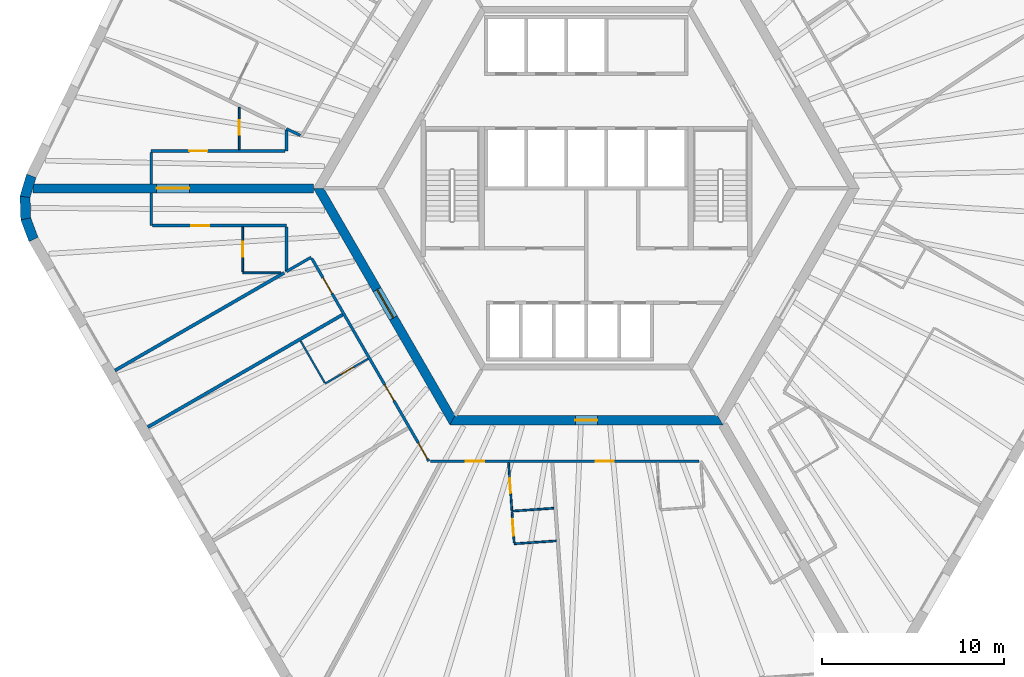
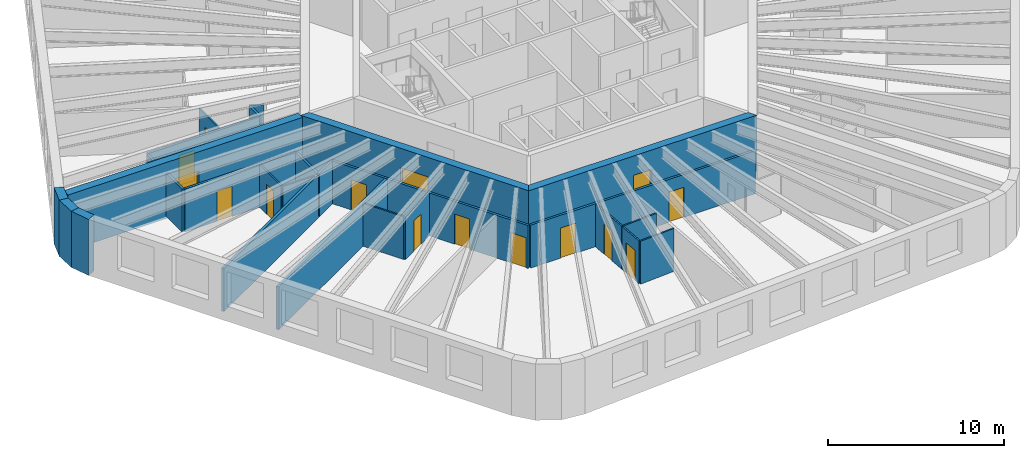
# One storey, part 3 of 10: 27 walls, 15 doors, 15 openings.
"""IFC4 building model written with IfcOpenShell, lengths in metres."""

from ifc_helpers import new_model, si_unit, direction, frame, frame_2d, origin, place, context, subcontext, project, spatial, polyline, rectangle, outline, extrude, material, layer, layer_set, type_object, element, fill, save


model = new_model("IFC4")

# Units and contexts
model_context = context("Model", 3, precision=1e-05, world=origin(), true_north=direction((0.0, 1.0)))
body_context = subcontext(model_context, "Body", "Model", "MODEL_VIEW")
ifc_project = project(units=[si_unit("LENGTHUNIT", "METRE"), si_unit("AREAUNIT", "SQUARE_METRE"), si_unit("VOLUMEUNIT", "CUBIC_METRE"), si_unit("PLANEANGLEUNIT", "RADIAN"), si_unit("MASSUNIT", "GRAM", prefix="KILO")], contexts=[model_context])

# Site, building, storey
site_placement = place(None, origin())
site = spatial("IfcSite", under=ifc_project, at=site_placement, CompositionType="ELEMENT")
building_placement = place(site_placement, origin())
building = spatial("IfcBuilding", under=site, at=building_placement, Name="Tarnside Tower", CompositionType="ELEMENT")
storey_placement = place(building_placement, frame((0.0, 0.0, 211.199951171875)))
storey = spatial("IfcBuildingStorey", under=building, at=storey_placement, Name="L50", CompositionType="ELEMENT", Elevation=211.199951171875)

# Wall, opening, door
ifc_material_1 = material(Name="Gypsum board partition on steel studs", Category="steel")
ifc_layer_1 = layer(ifc_material_1, 0.10009765625)
ifc_layer_set_1 = layer_set([ifc_layer_1], Name="Bathroom wall 100")
wall_type_1 = type_object("IfcWallType", Name="Bathroom wall 100", PredefinedType="PARTITIONING", material=ifc_layer_set_1)
wall_1_placement = place(storey_placement, frame((-19.0869140625, 2.125, 0.0), z_axis=(0.0, 0.0, 1.0), x_axis=(0.0, 1.0, 0.0)))
wall_1 = element("IfcWall", 1, at=wall_1_placement, inside=storey, type_object=wall_type_1, Name="Bathroom wall 16075", PredefinedType="PARTITIONING", context=body_context, shape_type="SweptSolid", body=[
    extrude(rectangle(XDim=2.320068359375, YDim=0.10009765625, at=frame_2d((1.16015625, 0.0))), origin(), (0.0, 0.0, 1.0), 2.98779296875),
])
opening_1_placement = place(wall_1_placement, frame((0.824951171875, 0.0, 0.0)))
opening_1 = element("IfcOpeningElement", 2, at=opening_1_placement, cuts=wall_1, Name="Opening D-B1", PredefinedType="OPENING", context=body_context, shape_type="SweptSolid", body=[
    extrude(rectangle(XDim=0.800048828125, YDim=2.10009765625, at=frame_2d((0.39990234375, 1.050048828125))), frame((0.0, 0.06005859375, 0.0), z_axis=(0.0, -1.0, 0.0), x_axis=(1.0, 0.0, 0.0)), (0.0, 0.0, 1.0), 0.1201171875),
])
ifc_material_2 = material(Name="Timber door leaf", Category="wood")
door_type_1 = type_object("IfcDoorType", Name="Bathroom door 800", OperationType="NOTDEFINED", PredefinedType="DOOR", material=ifc_material_2)
door_1_placement = place(opening_1_placement, origin())
door_1 = element("IfcDoor", 3, at=door_1_placement, inside=storey, type_object=door_type_1, Name="Bathroom door 16013", OperationType="SINGLE_SWING_LEFT", OverallHeight=2.10009765625, OverallWidth=0.800048828125, PredefinedType="DOOR", context=body_context, shape_type="SweptSolid", body=[
    extrude(rectangle(XDim=0.800048828125, YDim=2.10009765625, at=frame_2d((0.39990234375, 1.050048828125))), frame((0.0, 0.02490234375, 0.0), z_axis=(0.0, -1.0, 0.0), x_axis=(1.0, 0.0, 0.0)), (0.0, 0.0, 1.0), 0.050048828125),
])
fill(opening_1, door_1)

# Wall
wall_2_placement = place(storey_placement, frame((-16.79833984375, -4.64990234375, 0.0), z_axis=(0.0, 0.0, 1.0), x_axis=(-1.0, 0.0, 0.0)))
element("IfcWall", 4, at=wall_2_placement, inside=storey, type_object=wall_type_1, Name="Bathroom wall 16076", PredefinedType="PARTITIONING", context=body_context, shape_type="SweptSolid", body=[
    extrude(rectangle(XDim=2.088623046875, YDim=0.10009765625, at=frame_2d((1.04443359375, 0.0))), origin(), (0.0, 0.0, 1.0), 2.98779296875),
])

# Wall, opening, door
wall_3_placement = place(storey_placement, frame((-18.886962890625, -4.60009765625, 0.0), z_axis=(0.0, 0.0, 1.0), x_axis=(0.0, 1.0, 0.0)))
wall_3 = element("IfcWall", 5, at=wall_3_placement, inside=storey, type_object=wall_type_1, Name="Bathroom wall 16077", PredefinedType="PARTITIONING", context=body_context, shape_type="SweptSolid", body=[
    extrude(rectangle(XDim=2.47509765625, YDim=0.10009765625, at=frame_2d((1.237548828125, 0.0))), origin(), (0.0, 0.0, 1.0), 2.98779296875),
])
opening_2_placement = place(wall_3_placement, frame((0.85009765625, 0.0, 0.0)))
opening_2 = element("IfcOpeningElement", 6, at=opening_2_placement, cuts=wall_3, Name="Opening D-B1", PredefinedType="OPENING", context=body_context, shape_type="SweptSolid", body=[
    extrude(rectangle(XDim=0.800048828125, YDim=2.10009765625, at=frame_2d((0.39990234375, 1.050048828125))), frame((0.0, 0.06005859375, 0.0), z_axis=(0.0, -1.0, 0.0), x_axis=(1.0, 0.0, 0.0)), (0.0, 0.0, 1.0), 0.1201171875),
])
door_2_placement = place(opening_2_placement, origin())
door_2 = element("IfcDoor", 7, at=door_2_placement, inside=storey, type_object=door_type_1, Name="Bathroom door 16015", OperationType="SINGLE_SWING_RIGHT", OverallHeight=2.10009765625, OverallWidth=0.800048828125, PredefinedType="DOOR", context=body_context, shape_type="SweptSolid", body=[
    extrude(rectangle(XDim=0.800048828125, YDim=2.10009765625, at=frame_2d((0.39990234375, 1.050048828125))), frame((0.0, 0.02490234375, 0.0), z_axis=(0.0, -1.0, 0.0), x_axis=(1.0, 0.0, 0.0)), (0.0, 0.0, 1.0), 0.050048828125),
])
fill(opening_2, door_2)

wall_4_placement = place(storey_placement, frame((-11.996337890625, -9.37158203125, 0.0), z_axis=(0.0, 0.0, 1.0), x_axis=(-0.866012511928, -0.500022328685, 0.0)))
wall_4 = element("IfcWall", 8, at=wall_4_placement, inside=storey, type_object=wall_type_1, Name="Bathroom wall 16081", PredefinedType="PARTITIONING", context=body_context, shape_type="SweptSolid", body=[
    extrude(rectangle(XDim=2.72509765625, YDim=0.10009765625, at=frame_2d((1.362548828125, 0.0))), origin(), (0.0, 0.0, 1.0), 2.98779296875),
])
opening_3_placement = place(wall_4_placement, frame((0.925048828125, 0.0, 0.0)))
opening_3 = element("IfcOpeningElement", 9, at=opening_3_placement, cuts=wall_4, Name="Opening D-B1", PredefinedType="OPENING", context=body_context, shape_type="SweptSolid", body=[
    extrude(rectangle(XDim=0.800048828125, YDim=2.10009765625, at=frame_2d((0.39990234375, 1.050048828125))), frame((0.0, 0.06005859375, 0.0), z_axis=(0.0, -1.0, 0.0), x_axis=(1.0, 0.0, 0.0)), (0.0, 0.0, 1.0), 0.1201171875),
])
door_3_placement = place(opening_3_placement, origin())
door_3 = element("IfcDoor", 10, at=door_3_placement, inside=storey, type_object=door_type_1, Name="Bathroom door 16018", OperationType="SINGLE_SWING_RIGHT", OverallHeight=2.10009765625, OverallWidth=0.800048828125, PredefinedType="DOOR", context=body_context, shape_type="SweptSolid", body=[
    extrude(rectangle(XDim=0.800048828125, YDim=2.10009765625, at=frame_2d((0.39990234375, 1.050048828125))), frame((0.0, 0.02490234375, 0.0), z_axis=(0.0, -1.0, 0.0), x_axis=(1.0, 0.0, 0.0)), (0.0, 0.0, 1.0), 0.050048828125),
])
fill(opening_3, door_3)

# Wall
wall_5_placement = place(storey_placement, frame((-14.38134765625, -10.69091796875, 0.0), z_axis=(0.0, 0.0, 1.0), x_axis=(-0.500008456887, 0.866020521143, 0.0)))
element("IfcWall", 11, at=wall_5_placement, inside=storey, type_object=wall_type_1, Name="Bathroom wall 16082", PredefinedType="PARTITIONING", context=body_context, shape_type="SweptSolid", body=[
    extrude(rectangle(XDim=2.66015625, YDim=0.10009765625, at=frame_2d((1.330078125, 0.0))), origin(), (0.0, 0.0, 1.0), 2.98779296875),
])

# Wall, opening, door
wall_6_placement = place(storey_placement, frame((-4.08984375, -17.748291015625, 0.0), z_axis=(0.0, 0.0, 1.0), x_axis=(-0.069783798956, 0.997562139119, 0.0)))
wall_6 = element("IfcWall", 12, at=wall_6_placement, inside=storey, type_object=wall_type_1, Name="Bathroom wall 16085", PredefinedType="PARTITIONING", context=body_context, shape_type="SweptSolid", body=[
    extrude(rectangle(XDim=2.679931640625, YDim=0.10009765625, at=frame_2d((1.33984375, 0.0))), origin(), (0.0, 0.0, 1.0), 2.98779296875),
])
opening_4_placement = place(wall_6_placement, frame((1.0, 0.0, 0.0)))
opening_4 = element("IfcOpeningElement", 13, at=opening_4_placement, cuts=wall_6, Name="Opening D-B1", PredefinedType="OPENING", context=body_context, shape_type="SweptSolid", body=[
    extrude(rectangle(XDim=0.800048828125, YDim=2.10009765625, at=frame_2d((0.39990234375, 1.050048828125))), frame((0.0, 0.06005859375, 0.0), z_axis=(0.0, -1.0, 0.0), x_axis=(1.0, 0.0, 0.0)), (0.0, 0.0, 1.0), 0.1201171875),
])
door_4_placement = place(opening_4_placement, origin())
door_4 = element("IfcDoor", 14, at=door_4_placement, inside=storey, type_object=door_type_1, Name="Bathroom door 16021", OperationType="SINGLE_SWING_LEFT", OverallHeight=2.10009765625, OverallWidth=0.800048828125, PredefinedType="DOOR", context=body_context, shape_type="SweptSolid", body=[
    extrude(rectangle(XDim=0.800048828125, YDim=2.10009765625, at=frame_2d((0.39990234375, 1.050048828125))), frame((0.0, 0.02490234375, 0.0), z_axis=(0.0, -1.0, 0.0), x_axis=(1.0, 0.0, 0.0)), (0.0, 0.0, 1.0), 0.050048828125),
])
fill(opening_4, door_4)

# Wall
wall_7_placement = place(storey_placement, frame((-4.0400390625, -17.744873046875, 0.0), z_axis=(0.0, 0.0, 1.0), x_axis=(0.997562351999, 0.069780755754, 0.0)))
element("IfcWall", 15, at=wall_7_placement, inside=storey, type_object=wall_type_1, Name="Bathroom wall 16089", PredefinedType="PARTITIONING", context=body_context, shape_type="SweptSolid", body=[
    extrude(rectangle(XDim=2.26025390625, YDim=0.10009765625, at=frame_2d((1.130126953125, 0.0))), origin(), (0.0, 0.0, 1.0), 2.98779296875),
])

# Wall, opening, door
ifc_material_3 = material(Name="Concrete C70/85", Category="concrete")
ifc_layer_2 = layer(ifc_material_3, 0.5)
ifc_layer_set_2 = layer_set([ifc_layer_2], Name="Core wall Z2 500 C70/85")
wall_type_2 = type_object("IfcWallType", Name="Core wall Z2 500 C70/85", PredefinedType="SHEAR", material=ifc_layer_set_2)
wall_8_placement = place(storey_placement, frame((-14.722412109375, 0.0, -0.14990234375), z_axis=(0.0, 0.0, 1.0), x_axis=(0.50000571537, -0.866022103989, 0.0)))
wall_8 = element("IfcWall", 16, at=wall_8_placement, inside=storey, type_object=wall_type_2, Name="L50 core wall face 3", PredefinedType="SHEAR", context=body_context, shape_type="SweptSolid", body=[
    extrude(outline(polyline([(-0.144287109375, -0.25), (14.86669921875, -0.25), (14.578125, 0.25), (0.144287109375, 0.25), (-0.144287109375, -0.25)])), origin(), (0.0, 0.0, 1.0), 3.89990234375),
])
opening_5_placement = place(wall_8_placement, frame((6.432373046875, 0.0, 0.14990234375)))
opening_5 = element("IfcOpeningElement", 17, at=opening_5_placement, cuts=wall_8, Name="Opening CD-FFL", PredefinedType="OPENING", context=body_context, shape_type="SweptSolid", body=[
    extrude(rectangle(XDim=1.800048828125, YDim=2.39990234375, at=frame_2d((0.89990234375, 1.199951171875))), frame((0.0, 0.260009765625, 0.0), z_axis=(0.0, -1.0, 0.0), x_axis=(1.0, 0.0, 0.0)), (0.0, 0.0, 1.0), 0.52001953125),
])
ifc_material_4 = material(Name="Steel fire door", Category="steel")
door_type_2 = type_object("IfcDoorType", Name="Firefighting lobby double door FD60S 1800x2400", OperationType="NOTDEFINED", PredefinedType="DOOR", material=ifc_material_4)
door_5_placement = place(opening_5_placement, origin())
door_5 = element("IfcDoor", 18, at=door_5_placement, inside=storey, type_object=door_type_2, Name="L50 core door P3", OperationType="DOUBLE_DOOR_SINGLE_SWING", OverallHeight=2.39990234375, OverallWidth=1.800048828125, PredefinedType="DOOR", context=body_context, shape_type="SweptSolid", body=[
    extrude(rectangle(XDim=1.800048828125, YDim=2.39990234375, at=frame_2d((0.89990234375, 1.199951171875))), frame((0.0, 0.02490234375, 0.0), z_axis=(0.0, -1.0, 0.0), x_axis=(1.0, 0.0, 0.0)), (0.0, 0.0, 1.0), 0.050048828125),
])
fill(opening_5, door_5)

wall_9_placement = place(storey_placement, frame((-7.361083984375, -12.75, -0.14990234375), z_axis=(0.0, 0.0, 1.0), x_axis=(1.0, 0.0, 0.0)))
wall_9 = element("IfcWall", 19, at=wall_9_placement, inside=storey, type_object=wall_type_2, Name="L50 core wall face 4", PredefinedType="SHEAR", context=body_context, shape_type="SweptSolid", body=[
    extrude(outline(polyline([(-0.144287109375, -0.25), (14.866455078125, -0.25), (14.577880859375, 0.25), (0.144287109375, 0.25), (-0.144287109375, -0.25)])), origin(), (0.0, 0.0, 1.0), 3.89990234375),
])
opening_6_placement = place(wall_9_placement, frame((6.76123046875, 0.0, 0.14990234375)))
opening_6 = element("IfcOpeningElement", 20, at=opening_6_placement, cuts=wall_9, Name="Opening CD-RSR", PredefinedType="OPENING", context=body_context, shape_type="SweptSolid", body=[
    extrude(rectangle(XDim=1.199951171875, YDim=2.39990234375, at=frame_2d((0.60009765625, 1.199951171875))), frame((0.0, 0.260009765625, 0.0), z_axis=(0.0, -1.0, 0.0), x_axis=(1.0, 0.0, 0.0)), (0.0, 0.0, 1.0), 0.52001953125),
])
door_type_3 = type_object("IfcDoorType", Name="Riser door FD60 1200x2400", OperationType="NOTDEFINED", PredefinedType="DOOR", material=ifc_material_4)
door_6_placement = place(opening_6_placement, origin())
door_6 = element("IfcDoor", 21, at=door_6_placement, inside=storey, type_object=door_type_3, Name="L50 core door S6", OperationType="SINGLE_SWING_LEFT", OverallHeight=2.39990234375, OverallWidth=1.199951171875, PredefinedType="DOOR", context=body_context, shape_type="SweptSolid", body=[
    extrude(rectangle(XDim=1.199951171875, YDim=2.39990234375, at=frame_2d((0.60009765625, 1.199951171875))), frame((0.0, 0.02490234375, 0.0), z_axis=(0.0, -1.0, 0.0), x_axis=(1.0, 0.0, 0.0)), (0.0, 0.0, 1.0), 0.050048828125),
])
fill(opening_6, door_6)

wall_10_placement = place(storey_placement, frame((-15.010986328125, 0.0, -0.14990234375), z_axis=(0.0, 0.0, 1.0), x_axis=(-1.0, 0.0, 0.0)))
wall_10 = element("IfcWall", 22, at=wall_10_placement, inside=storey, type_object=wall_type_2, Name="L50 spine wall 2", PredefinedType="SHEAR", context=body_context, shape_type="SweptSolid", body=[
    extrude(rectangle(XDim=15.423828125, YDim=0.5, at=frame_2d((7.7119140625, 0.0))), origin(), (0.0, 0.0, 1.0), 3.89990234375),
])
opening_7_placement = place(wall_10_placement, frame((6.811767578125, 0.0, 0.14990234375)))
opening_7 = element("IfcOpeningElement", 23, at=opening_7_placement, cuts=wall_10, Name="Opening CD-SPN", PredefinedType="OPENING", context=body_context, shape_type="SweptSolid", body=[
    extrude(rectangle(XDim=1.800048828125, YDim=2.39990234375, at=frame_2d((0.89990234375, 1.199951171875))), frame((0.0, 0.260009765625, 0.0), z_axis=(0.0, -1.0, 0.0), x_axis=(1.0, 0.0, 0.0)), (0.0, 0.0, 1.0), 0.52001953125),
])
door_type_4 = type_object("IfcDoorType", Name="Spine passage double door FD60 1800x2400", OperationType="NOTDEFINED", PredefinedType="DOOR", material=ifc_material_4)
door_7_placement = place(opening_7_placement, origin())
door_7 = element("IfcDoor", 24, at=door_7_placement, inside=storey, type_object=door_type_4, Name="L50 spine passage door 2", OperationType="DOUBLE_DOOR_SINGLE_SWING", OverallHeight=2.39990234375, OverallWidth=1.800048828125, PredefinedType="DOOR", context=body_context, shape_type="SweptSolid", body=[
    extrude(rectangle(XDim=1.800048828125, YDim=2.39990234375, at=frame_2d((0.89990234375, 1.199951171875))), frame((0.0, 0.02490234375, 0.0), z_axis=(0.0, -1.0, 0.0), x_axis=(1.0, 0.0, 0.0)), (0.0, 0.0, 1.0), 0.050048828125),
])
fill(opening_7, door_7)

# Wall
ifc_layer_3 = layer(ifc_material_1, 0.14990234375)
ifc_layer_set_3 = layer_set([ifc_layer_3], Name="Corridor wall 150 EI 60")
wall_type_3 = type_object("IfcWallType", Name="Corridor wall 150 EI 60", PredefinedType="PARTITIONING", material=ifc_layer_set_3)
wall_11_placement = place(storey_placement, frame((-15.728759765625, 2.9072265625, 0.0), z_axis=(0.0, 0.0, 1.0), x_axis=(-0.898821061416, 0.438315753259, 0.0)))
element("IfcWall", 25, at=wall_11_placement, inside=storey, type_object=wall_type_3, Name="Corridor wall 16013", PredefinedType="PARTITIONING", context=body_context, shape_type="SweptSolid", body=[
    extrude(rectangle(XDim=0.84716796875, YDim=0.14990234375, at=frame_2d((0.423583984375, 0.0))), origin(), (0.0, 0.0, 1.0), 2.98779296875),
])

# Wall, opening, door
wall_12_placement = place(storey_placement, frame((-16.56201171875, 2.050048828125, 0.0), z_axis=(0.0, 0.0, 1.0), x_axis=(-1.0, 0.0, 0.0)))
wall_12 = element("IfcWall", 26, at=wall_12_placement, inside=storey, type_object=wall_type_3, Name="Corridor wall 16015", PredefinedType="PARTITIONING", context=body_context, shape_type="SweptSolid", body=[
    extrude(rectangle(XDim=7.36083984375, YDim=0.14990234375, at=frame_2d((3.680419921875, 0.0))), origin(), (0.0, 0.0, 1.0), 2.98779296875),
])
opening_8_placement = place(wall_12_placement, frame((4.26806640625, 0.0, 0.0)))
opening_8 = element("IfcOpeningElement", 27, at=opening_8_placement, cuts=wall_12, Name="Opening D-E1", PredefinedType="OPENING", context=body_context, shape_type="SweptSolid", body=[
    extrude(rectangle(XDim=1.0, YDim=2.10009765625, at=frame_2d((0.5, 1.050048828125))), frame((0.0, 0.0849609375, 0.0), z_axis=(0.0, -1.0, 0.0), x_axis=(1.0, 0.0, 0.0)), (0.0, 0.0, 1.0), 0.169921875),
])
door_type_5 = type_object("IfcDoorType", Name="Unit entrance door 1000 FD30S", OperationType="NOTDEFINED", PredefinedType="DOOR", material=ifc_material_2)
door_8_placement = place(opening_8_placement, origin())
door_8 = element("IfcDoor", 28, at=door_8_placement, inside=storey, type_object=door_type_5, Name="Unit door 16012", OperationType="SINGLE_SWING_RIGHT", OverallHeight=2.10009765625, OverallWidth=1.0, PredefinedType="DOOR", context=body_context, shape_type="SweptSolid", body=[
    extrude(rectangle(XDim=1.0, YDim=2.10009765625, at=frame_2d((0.5, 1.050048828125))), frame((0.0, 0.02490234375, 0.0), z_axis=(0.0, -1.0, 0.0), x_axis=(1.0, 0.0, 0.0)), (0.0, 0.0, 1.0), 0.050048828125),
])
fill(opening_8, door_8)

# Walls
wall_13_placement = place(storey_placement, frame((-23.9228515625, 1.97509765625, 0.0), z_axis=(0.0, 0.0, 1.0), x_axis=(0.0, -1.0, 0.0)))
element("IfcWall", 29, at=wall_13_placement, inside=storey, type_object=wall_type_3, Name="Corridor wall 16016", PredefinedType="PARTITIONING", context=body_context, shape_type="SweptSolid", body=[
    extrude(rectangle(XDim=1.72509765625, YDim=0.14990234375, at=frame_2d((0.862548828125, 0.0))), origin(), (0.0, 0.0, 1.0), 2.98779296875),
])
wall_14_placement = place(storey_placement, frame((-16.487060546875, 3.193603515625, 0.0), z_axis=(0.0, 0.0, 1.0), x_axis=(0.0, -1.0, 0.0)))
element("IfcWall", 30, at=wall_14_placement, inside=storey, type_object=wall_type_3, Name="Corridor wall 16017", PredefinedType="PARTITIONING", context=body_context, shape_type="SweptSolid", body=[
    extrude(rectangle(XDim=1.1435546875, YDim=0.14990234375, at=frame_2d((0.57177734375, 0.0))), origin(), (0.0, 0.0, 1.0), 2.98779296875),
])
wall_15_placement = place(storey_placement, frame((-23.9228515625, -0.25, 0.0), z_axis=(0.0, 0.0, 1.0), x_axis=(0.0, -1.0, 0.0)))
element("IfcWall", 31, at=wall_15_placement, inside=storey, type_object=wall_type_3, Name="Corridor wall 16019", PredefinedType="PARTITIONING", context=body_context, shape_type="SweptSolid", body=[
    extrude(rectangle(XDim=1.800048828125, YDim=0.14990234375, at=frame_2d((0.89990234375, 0.0))), origin(), (0.0, 0.0, 1.0), 2.98779296875),
])

# Wall, opening, door
wall_16_placement = place(storey_placement, frame((-23.847900390625, -2.050048828125, 0.0), z_axis=(0.0, 0.0, 1.0), x_axis=(1.0, 0.0, 0.0)))
wall_16 = element("IfcWall", 32, at=wall_16_placement, inside=storey, type_object=wall_type_3, Name="Corridor wall 16020", PredefinedType="PARTITIONING", context=body_context, shape_type="SweptSolid", body=[
    extrude(rectangle(XDim=7.36083984375, YDim=0.14990234375, at=frame_2d((3.680419921875, 0.0))), origin(), (0.0, 0.0, 1.0), 2.98779296875),
])
opening_9_placement = place(wall_16_placement, frame((2.117919921875, 0.0, 0.0)))
opening_9 = element("IfcOpeningElement", 33, at=opening_9_placement, cuts=wall_16, Name="Opening D-E1", PredefinedType="OPENING", context=body_context, shape_type="SweptSolid", body=[
    extrude(rectangle(XDim=1.0, YDim=2.10009765625, at=frame_2d((0.5, 1.050048828125))), frame((0.0, 0.0849609375, 0.0), z_axis=(0.0, -1.0, 0.0), x_axis=(1.0, 0.0, 0.0)), (0.0, 0.0, 1.0), 0.169921875),
])
door_9_placement = place(opening_9_placement, origin())
door_9 = element("IfcDoor", 34, at=door_9_placement, inside=storey, type_object=door_type_5, Name="Unit door 16014", OperationType="SINGLE_SWING_LEFT", OverallHeight=2.10009765625, OverallWidth=1.0, PredefinedType="DOOR", context=body_context, shape_type="SweptSolid", body=[
    extrude(rectangle(XDim=1.0, YDim=2.10009765625, at=frame_2d((0.5, 1.050048828125))), frame((0.0, 0.02490234375, 0.0), z_axis=(0.0, -1.0, 0.0), x_axis=(1.0, 0.0, 0.0)), (0.0, 0.0, 1.0), 0.050048828125),
])
fill(opening_9, door_9)

# Walls
wall_17_placement = place(storey_placement, frame((-16.487060546875, -2.125, 0.0), z_axis=(0.0, 0.0, 1.0), x_axis=(0.0, -1.0, 0.0)))
element("IfcWall", 35, at=wall_17_placement, inside=storey, type_object=wall_type_3, Name="Corridor wall 16022", PredefinedType="PARTITIONING", context=body_context, shape_type="SweptSolid", body=[
    extrude(rectangle(XDim=2.44921875, YDim=0.14990234375, at=frame_2d((1.224609375, 0.0))), origin(), (0.0, 0.0, 1.0), 2.98779296875),
])
wall_18_placement = place(storey_placement, frame((-16.490234375, -4.576171875, 0.0), z_axis=(0.0, 0.0, 1.0), x_axis=(0.865993845424, 0.5000546567, 0.0)))
element("IfcWall", 36, at=wall_18_placement, inside=storey, type_object=wall_type_3, Name="Corridor wall 16023", PredefinedType="PARTITIONING", context=body_context, shape_type="SweptSolid", body=[
    extrude(rectangle(XDim=1.569091796875, YDim=0.14990234375, at=frame_2d((0.78466796875, 0.0))), origin(), (0.0, 0.0, 1.0), 2.98779296875),
])

# Wall, openings, doors
wall_19_placement = place(storey_placement, frame((-15.093994140625, -3.8564453125, 0.0), z_axis=(0.0, 0.0, 1.0), x_axis=(0.500006037985, -0.866021917724, 0.0)))
wall_19 = element("IfcWall", 37, at=wall_19_placement, inside=storey, type_object=wall_type_3, Name="Corridor wall 16024", PredefinedType="PARTITIONING", context=body_context, shape_type="SweptSolid", body=[
    extrude(rectangle(XDim=12.867431640625, YDim=0.14990234375, at=frame_2d((6.43359375, 0.0))), origin(), (0.0, 0.0, 1.0), 2.98779296875),
])
opening_10_placement = place(wall_19_placement, frame((1.22509765625, 0.0, 0.0)))
opening_10 = element("IfcOpeningElement", 38, at=opening_10_placement, cuts=wall_19, Name="Opening D-E1", PredefinedType="OPENING", context=body_context, shape_type="SweptSolid", body=[
    extrude(rectangle(XDim=1.0, YDim=2.10009765625, at=frame_2d((0.5, 1.050048828125))), frame((0.0, 0.0849609375, 0.0), z_axis=(0.0, -1.0, 0.0), x_axis=(1.0, 0.0, 0.0)), (0.0, 0.0, 1.0), 0.169921875),
])
opening_11_placement = place(wall_19_placement, frame((8.02490234375, 0.0, 0.0)))
opening_11 = element("IfcOpeningElement", 39, at=opening_11_placement, cuts=wall_19, Name="Opening D-E1", PredefinedType="OPENING", context=body_context, shape_type="SweptSolid", body=[
    extrude(rectangle(XDim=1.0, YDim=2.10009765625, at=frame_2d((0.5, 1.050048828125))), frame((0.0, 0.0849609375, 0.0), z_axis=(0.0, -1.0, 0.0), x_axis=(1.0, 0.0, 0.0)), (0.0, 0.0, 1.0), 0.169921875),
])
opening_12_placement = place(wall_19_placement, frame((11.71728515625, 0.0, 0.0)))
opening_12 = element("IfcOpeningElement", 40, at=opening_12_placement, cuts=wall_19, Name="Opening D-E1", PredefinedType="OPENING", context=body_context, shape_type="SweptSolid", body=[
    extrude(rectangle(XDim=1.0, YDim=2.10009765625, at=frame_2d((0.5, 1.050048828125))), frame((0.0, 0.0849609375, 0.0), z_axis=(0.0, -1.0, 0.0), x_axis=(1.0, 0.0, 0.0)), (0.0, 0.0, 1.0), 0.169921875),
])
door_10_placement = place(opening_10_placement, origin())
door_10 = element("IfcDoor", 41, at=door_10_placement, inside=storey, type_object=door_type_5, Name="Unit door 16016", OperationType="SINGLE_SWING_RIGHT", OverallHeight=2.10009765625, OverallWidth=1.0, PredefinedType="DOOR", context=body_context, shape_type="SweptSolid", body=[
    extrude(rectangle(XDim=1.0, YDim=2.10009765625, at=frame_2d((0.5, 1.050048828125))), frame((0.0, 0.02490234375, 0.0), z_axis=(0.0, -1.0, 0.0), x_axis=(1.0, 0.0, 0.0)), (0.0, 0.0, 1.0), 0.050048828125),
])
fill(opening_10, door_10)
door_11_placement = place(opening_11_placement, origin())
door_11 = element("IfcDoor", 42, at=door_11_placement, inside=storey, type_object=door_type_5, Name="Unit door 16017", OperationType="SINGLE_SWING_RIGHT", OverallHeight=2.10009765625, OverallWidth=1.0, PredefinedType="DOOR", context=body_context, shape_type="SweptSolid", body=[
    extrude(rectangle(XDim=1.0, YDim=2.10009765625, at=frame_2d((0.5, 1.050048828125))), frame((0.0, 0.02490234375, 0.0), z_axis=(0.0, -1.0, 0.0), x_axis=(1.0, 0.0, 0.0)), (0.0, 0.0, 1.0), 0.050048828125),
])
fill(opening_11, door_11)
door_12_placement = place(opening_12_placement, origin())
door_12 = element("IfcDoor", 43, at=door_12_placement, inside=storey, type_object=door_type_5, Name="Unit door 16019", OperationType="SINGLE_SWING_LEFT", OverallHeight=2.10009765625, OverallWidth=1.0, PredefinedType="DOOR", context=body_context, shape_type="SweptSolid", body=[
    extrude(rectangle(XDim=1.0, YDim=2.10009765625, at=frame_2d((0.5, 1.050048828125))), frame((0.0, 0.02490234375, 0.0), z_axis=(0.0, -1.0, 0.0), x_axis=(1.0, 0.0, 0.0)), (0.0, 0.0, 1.0), 0.050048828125),
])
fill(opening_12, door_12)

wall_20_placement = place(storey_placement, frame((-8.57373046875, -15.0, 0.0), z_axis=(0.0, 0.0, 1.0), x_axis=(1.0, 0.0, 0.0)))
wall_20 = element("IfcWall", 44, at=wall_20_placement, inside=storey, type_object=wall_type_3, Name="Corridor wall 16028", PredefinedType="PARTITIONING", context=body_context, shape_type="SweptSolid", body=[
    extrude(rectangle(XDim=14.7802734375, YDim=0.14990234375, at=frame_2d((7.39013671875, 0.0))), origin(), (0.0, 0.0, 1.0), 2.98779296875),
])
opening_13_placement = place(wall_20_placement, frame((1.95068359375, 0.0, 0.0)))
opening_13 = element("IfcOpeningElement", 45, at=opening_13_placement, cuts=wall_20, Name="Opening D-E1", PredefinedType="OPENING", context=body_context, shape_type="SweptSolid", body=[
    extrude(rectangle(XDim=1.0, YDim=2.10009765625, at=frame_2d((0.5, 1.050048828125))), frame((0.0, 0.0849609375, 0.0), z_axis=(0.0, -1.0, 0.0), x_axis=(1.0, 0.0, 0.0)), (0.0, 0.0, 1.0), 0.169921875),
])
opening_14_placement = place(wall_20_placement, frame((9.0849609375, 0.0, 0.0)))
opening_14 = element("IfcOpeningElement", 46, at=opening_14_placement, cuts=wall_20, Name="Opening D-E1", PredefinedType="OPENING", context=body_context, shape_type="SweptSolid", body=[
    extrude(rectangle(XDim=1.0, YDim=2.10009765625, at=frame_2d((0.5, 1.050048828125))), frame((0.0, 0.0849609375, 0.0), z_axis=(0.0, -1.0, 0.0), x_axis=(1.0, 0.0, 0.0)), (0.0, 0.0, 1.0), 0.169921875),
])
door_13_placement = place(opening_13_placement, origin())
door_13 = element("IfcDoor", 47, at=door_13_placement, inside=storey, type_object=door_type_5, Name="Unit door 16020", OperationType="SINGLE_SWING_LEFT", OverallHeight=2.10009765625, OverallWidth=1.0, PredefinedType="DOOR", context=body_context, shape_type="SweptSolid", body=[
    extrude(rectangle(XDim=1.0, YDim=2.10009765625, at=frame_2d((0.5, 1.050048828125))), frame((0.0, 0.02490234375, 0.0), z_axis=(0.0, -1.0, 0.0), x_axis=(1.0, 0.0, 0.0)), (0.0, 0.0, 1.0), 0.050048828125),
])
fill(opening_13, door_13)
door_14_placement = place(opening_14_placement, origin())
door_14 = element("IfcDoor", 48, at=door_14_placement, inside=storey, type_object=door_type_5, Name="Unit door 16023", OperationType="SINGLE_SWING_RIGHT", OverallHeight=2.10009765625, OverallWidth=1.0, PredefinedType="DOOR", context=body_context, shape_type="SweptSolid", body=[
    extrude(rectangle(XDim=1.0, YDim=2.10009765625, at=frame_2d((0.5, 1.050048828125))), frame((0.0, 0.02490234375, 0.0), z_axis=(0.0, -1.0, 0.0), x_axis=(1.0, 0.0, 0.0)), (0.0, 0.0, 1.0), 0.050048828125),
])
fill(opening_14, door_14)

# Walls
ifc_layer_4 = layer(ifc_material_1, 0.179931640625)
ifc_layer_set_4 = layer_set([ifc_layer_4], Name="Demising wall 180 EI 60")
wall_type_4 = type_object("IfcWallType", Name="Demising wall 180 EI 60", PredefinedType="PARTITIONING", material=ifc_layer_set_4)
wall_21_placement = place(storey_placement, frame((-25.91357421875, -10.0166015625, 0.0), z_axis=(0.0, 0.0, 1.0), x_axis=(0.86602614826, 0.499998710529, 0.0)))
element("IfcWall", 49, at=wall_21_placement, inside=storey, type_object=wall_type_4, Name="Demising wall 16078", PredefinedType="PARTITIONING", context=body_context, shape_type="SweptSolid", body=[
    extrude(rectangle(XDim=10.7353515625, YDim=0.179931640625, at=frame_2d((5.36767578125, 0.0))), origin(), (0.0, 0.0, 1.0), 2.98779296875),
])
wall_22_placement = place(storey_placement, frame((-24.113525390625, -13.13427734375, 0.0), z_axis=(0.0, 0.0, 1.0), x_axis=(0.866024931941, 0.500000817256, 0.0)))
element("IfcWall", 50, at=wall_22_placement, inside=storey, type_object=wall_type_4, Name="Demising wall 16079", PredefinedType="PARTITIONING", context=body_context, shape_type="SweptSolid", body=[
    extrude(rectangle(XDim=12.375, YDim=0.179931640625, at=frame_2d((6.1875, 0.0))), origin(), (0.0, 0.0, 1.0), 2.98779296875),
])
ifc_layer_5 = layer(ifc_material_1, 0.10009765625)
ifc_layer_set_5 = layer_set([ifc_layer_5], Name="Partition 100")
wall_type_5 = type_object("IfcWallType", Name="Partition 100", PredefinedType="PARTITIONING", material=ifc_layer_set_5)
wall_23_placement = place(storey_placement, frame((-1.659912109375, -19.3828125, 0.0), z_axis=(0.0, 0.0, 1.0), x_axis=(-0.997564338377, -0.069752353356, 0.0)))
element("IfcWall", 51, at=wall_23_placement, inside=storey, type_object=wall_type_5, Name="Partition wall 16086", PredefinedType="PARTITIONING", context=body_context, shape_type="SweptSolid", body=[
    extrude(rectangle(XDim=2.31005859375, YDim=0.10009765625, at=frame_2d((1.155029296875, 0.0))), origin(), (0.0, 0.0, 1.0), 2.98779296875),
])

# Wall, opening, door
wall_24_placement = place(storey_placement, frame((-3.9677734375, -19.494140625, 0.0), z_axis=(0.0, 0.0, 1.0), x_axis=(-0.069797686069, 0.997561167558, 0.0)))
wall_24 = element("IfcWall", 52, at=wall_24_placement, inside=storey, type_object=wall_type_5, Name="Partition wall 16087", PredefinedType="PARTITIONING", context=body_context, shape_type="SweptSolid", body=[
    extrude(rectangle(XDim=1.699951171875, YDim=0.10009765625, at=frame_2d((0.85009765625, 0.0))), origin(), (0.0, 0.0, 1.0), 2.98779296875),
])
opening_15_placement = place(wall_24_placement, frame((0.39990234375, 0.0, 0.0)))
opening_15 = element("IfcOpeningElement", 53, at=opening_15_placement, cuts=wall_24, Name="Opening D-I1", PredefinedType="OPENING", context=body_context, shape_type="SweptSolid", body=[
    extrude(rectangle(XDim=0.89990234375, YDim=2.10009765625, at=frame_2d((0.449951171875, 1.050048828125))), frame((0.0, 0.06005859375, 0.0), z_axis=(0.0, -1.0, 0.0), x_axis=(1.0, 0.0, 0.0)), (0.0, 0.0, 1.0), 0.1201171875),
])
door_type_6 = type_object("IfcDoorType", Name="Internal door 900", OperationType="NOTDEFINED", PredefinedType="DOOR", material=ifc_material_2)
door_15_placement = place(opening_15_placement, origin())
door_15 = element("IfcDoor", 54, at=door_15_placement, inside=storey, type_object=door_type_6, Name="Internal door 16022", OperationType="SINGLE_SWING_RIGHT", OverallHeight=2.10009765625, OverallWidth=0.89990234375, PredefinedType="DOOR", context=body_context, shape_type="SweptSolid", body=[
    extrude(rectangle(XDim=0.89990234375, YDim=2.10009765625, at=frame_2d((0.449951171875, 1.050048828125))), frame((0.0, 0.02490234375, 0.0), z_axis=(0.0, -1.0, 0.0), x_axis=(1.0, 0.0, 0.0)), (0.0, 0.0, 1.0), 0.050048828125),
])
fill(opening_15, door_15)

# Walls
ifc_material_5 = material(Name="Facing brick", Category="masonry")
ifc_layer_6 = layer(ifc_material_5, 0.10205078125)
ifc_material_6 = material(Name="Concrete C60/75 precast", Category="concrete")
ifc_layer_7 = layer(ifc_material_6, 0.347900390625)
ifc_material_7 = material(Name="Mineral wool insulation")
ifc_layer_8 = layer(ifc_material_7, 0.10009765625)
ifc_layer_set_6 = layer_set([ifc_layer_6, ifc_layer_7, ifc_layer_8], Name="Tube wall 550 brick faced")
wall_type_6 = type_object("IfcWallType", Name="Tube wall 550 brick faced", PredefinedType="SOLIDWALL", material=ifc_layer_set_6)
wall_25_placement = place(storey_placement, frame((-30.51318359375, 0.684326171875, -0.14990234375), z_axis=(0.0, 0.0, 1.0), x_axis=(-0.286736058109, -0.958009620505, 0.0)))
element("IfcWall", 55, at=wall_25_placement, inside=storey, type_object=wall_type_6, Name="Tube wall L50 F2 chord 05", PredefinedType="SOLIDWALL", context=body_context, shape_type="SweptSolid", body=[
    extrude(outline(polyline([(-0.0224609375, -0.27490234375), (1.25341796875, -0.27490234375), (1.1630859375, 0.27490234375), (0.0224609375, 0.27490234375), (-0.0224609375, -0.27490234375)])), origin(), (0.0, 0.0, 1.0), 3.89990234375),
])
wall_26_placement = place(storey_placement, frame((-30.859619140625, -0.47314453125, -0.14990234375), z_axis=(0.0, 0.0, 1.0), x_axis=(0.03495638276, -0.999388838893, 0.0)))
element("IfcWall", 56, at=wall_26_placement, inside=storey, type_object=wall_type_6, Name="Tube wall L50 F2 chord 06", PredefinedType="SOLIDWALL", context=body_context, shape_type="SweptSolid", body=[
    extrude(outline(polyline([(-0.045166015625, -0.27490234375), (1.25341796875, -0.27490234375), (1.1630859375, 0.27490234375), (0.045166015625, 0.27490234375), (-0.045166015625, -0.27490234375)])), origin(), (0.0, 0.0, 1.0), 3.89990234375),
])
wall_27_placement = place(storey_placement, frame((-30.8173828125, -1.6806640625, -0.14990234375), z_axis=(0.0, 0.0, 1.0), x_axis=(0.352850303963, -0.935679786569, 0.0)))
element("IfcWall", 57, at=wall_27_placement, inside=storey, type_object=wall_type_6, Name="Tube wall L50 F2 chord 07", PredefinedType="SOLIDWALL", context=body_context, shape_type="SweptSolid", body=[
    extrude(outline(polyline([(-0.045166015625, -0.27490234375), (1.23046875, -0.27490234375), (1.185546875, 0.27490234375), (0.045166015625, 0.27490234375), (-0.045166015625, -0.27490234375)])), origin(), (0.0, 0.0, 1.0), 3.89990234375),
])

save(model, "model.ifc")
